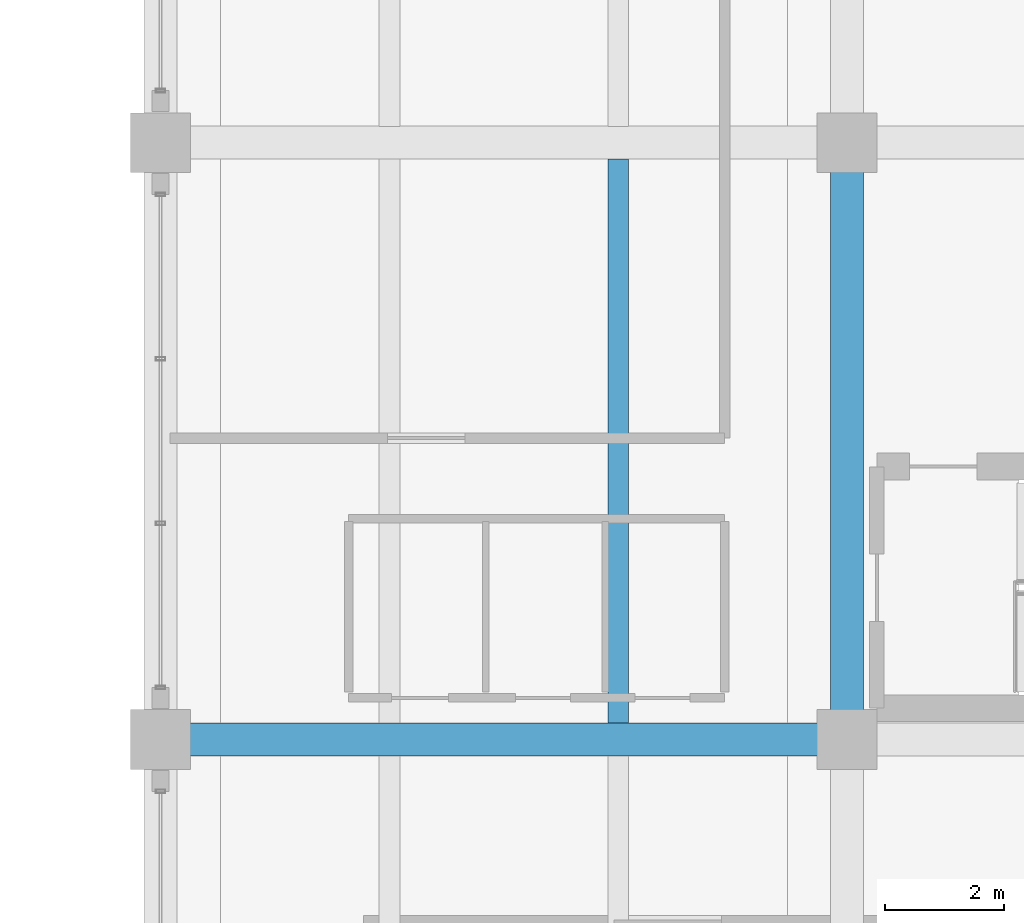
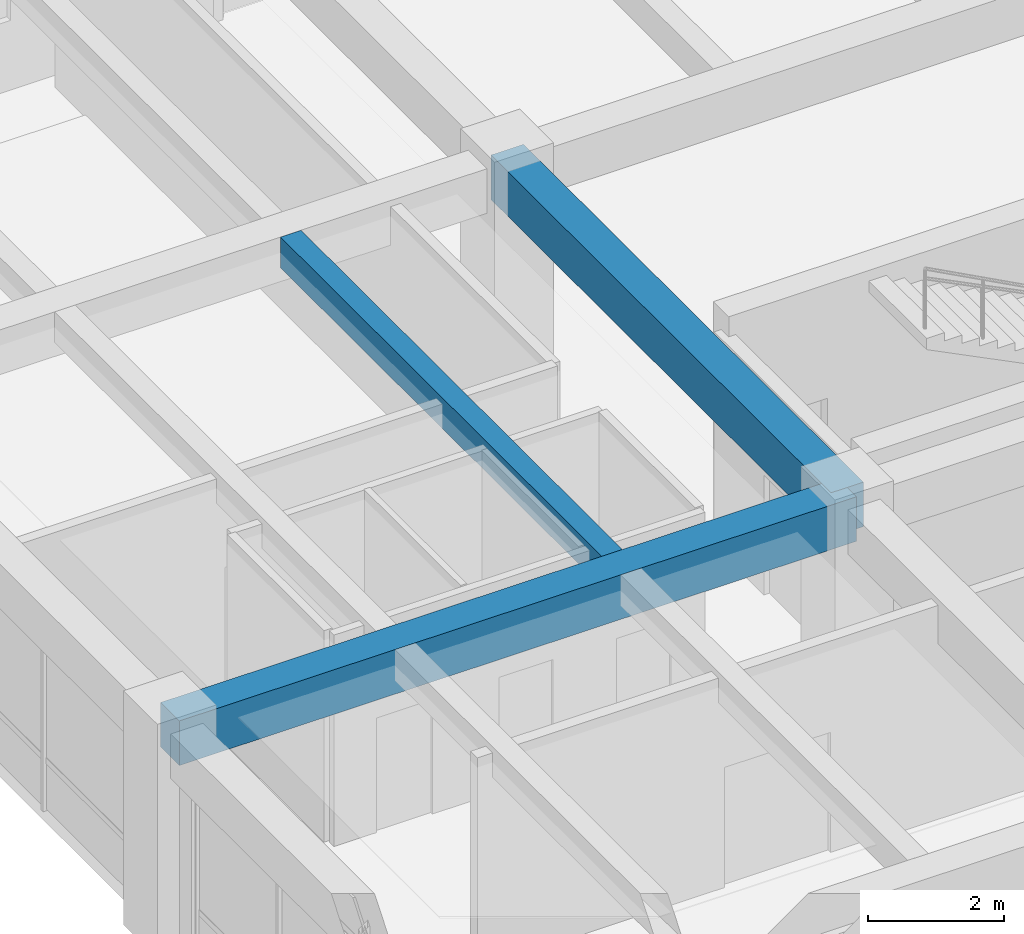
# One storey, part 39 of 98: 3 beams.
"""IFC4 building model written with IfcOpenShell, lengths in metres."""

from ifc_helpers import new_model, si_unit, direction, frame, origin, origin_2d, place, context, subcontext, project, spatial, rectangle, extrude, material, material_profile, profile_set, type_object, element, save


model = new_model("IFC4")

# Units and contexts
model_context = context("Model", 3, precision=1e-05, world=origin(), true_north=direction((0.0, 1.0)))
body_context = subcontext(model_context, "Body", "Model", "MODEL_VIEW")
ifc_project = project(units=[si_unit("LENGTHUNIT", "METRE"), si_unit("AREAUNIT", "SQUARE_METRE"), si_unit("VOLUMEUNIT", "CUBIC_METRE"), si_unit("PLANEANGLEUNIT", "RADIAN"), si_unit("MASSUNIT", "GRAM", prefix="KILO")], contexts=[model_context])

# Site, building, storey
site_placement = place(None, origin())
site = spatial("IfcSite", under=ifc_project, at=site_placement, CompositionType="ELEMENT")
building_placement = place(site_placement, origin())
building = spatial("IfcBuilding", under=site, at=building_placement, Name="Ologun Quay Terminus", CompositionType="ELEMENT")
storey_placement = place(building_placement, frame((0.0, 0.0, 4.199951171875)))
storey = spatial("IfcBuildingStorey", under=building, at=storey_placement, Name="L01", CompositionType="ELEMENT", Elevation=4.199951171875)

# Beams
ifc_material_1 = material(Name="Concrete C40/50", Category="concrete")
ifc_material_profile_1 = material_profile(ifc_material_1, rectangle(XDim=0.550048828125, YDim=0.800048828125, at=origin_2d()), Name="RC 550x800")
ifc_profile_set_1 = profile_set([ifc_material_profile_1], Name="Concrete C40/50")
beam_type_1 = type_object("IfcBeamType", Name="Courtyard Wing Primary Girder 550x800", PredefinedType="BEAM", material=ifc_profile_set_1)
beam_1_placement = place(storey_placement, frame((115.0, 94.800048828125, 3.550048828125), z_axis=(1.0, 0.0, 0.0), x_axis=(0.0, 1.0, 0.0)))
element("IfcBeam", 1, at=beam_1_placement, inside=storey, type_object=beam_type_1, Name="B4 Beam 11/H L01", PredefinedType="BEAM", context=body_context, shape_type="SweptSolid", body=[
    extrude(rectangle(XDim=0.550048828125, YDim=0.800048828125, at=origin_2d()), origin(), (0.0, 0.0, 1.0), 11.5),
])
beam_2_placement = place(storey_placement, frame((126.5, 94.800048828125, 3.550048828125), z_axis=(0.0, 1.0, 0.0), x_axis=(-1.0, 0.0, 0.0)))
element("IfcBeam", 2, at=beam_2_placement, inside=storey, type_object=beam_type_1, Name="B4 Beam 12/H L01", PredefinedType="BEAM", context=body_context, shape_type="SweptSolid", body=[
    extrude(rectangle(XDim=0.550048828125, YDim=0.800048828125, at=origin_2d()), origin(), (0.0, 0.0, 1.0), 10.0),
])
ifc_material_2 = material(Name="Concrete C40/50", Category="concrete")
ifc_material_profile_2 = material_profile(ifc_material_2, rectangle(XDim=0.35009765625, YDim=0.550048828125, at=origin_2d()), Name="RC 350x550")
ifc_profile_set_2 = profile_set([ifc_material_profile_2], Name="Concrete C40/50")
beam_type_2 = type_object("IfcBeamType", Name="Courtyard Wing Secondary Joist 350x550", PredefinedType="JOIST", material=ifc_profile_set_2)
beam_3_placement = place(storey_placement, frame((122.666748046875, 95.074951171875, 3.675048828125), z_axis=(0.0, 1.0, 0.0), x_axis=(-1.0, 0.0, 0.0)))
element("IfcBeam", 3, at=beam_3_placement, inside=storey, type_object=beam_type_2, Name="J2 Beam 11/H L01", PredefinedType="JOIST", context=body_context, shape_type="SweptSolid", body=[
    extrude(rectangle(XDim=0.35009765625, YDim=0.550048828125, at=origin_2d()), origin(), (0.0, 0.0, 1.0), 9.449951171875),
])

save(model, "model.ifc")
